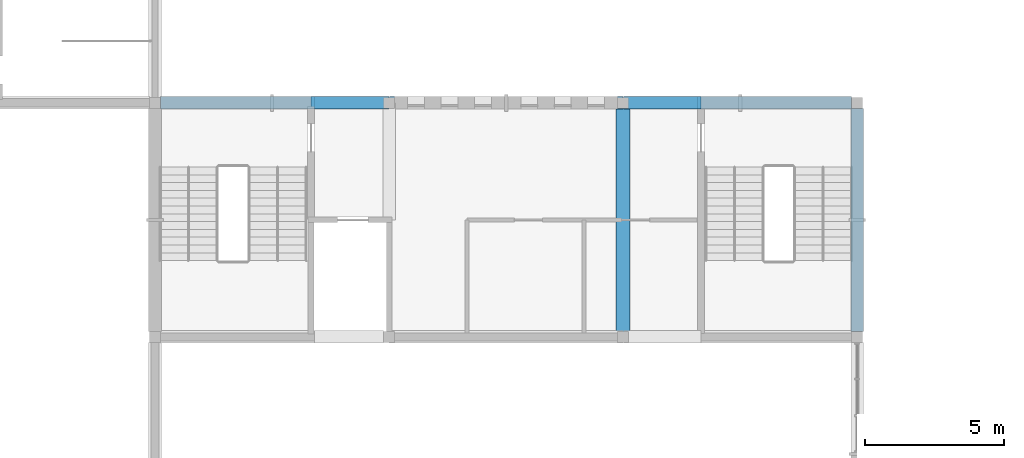
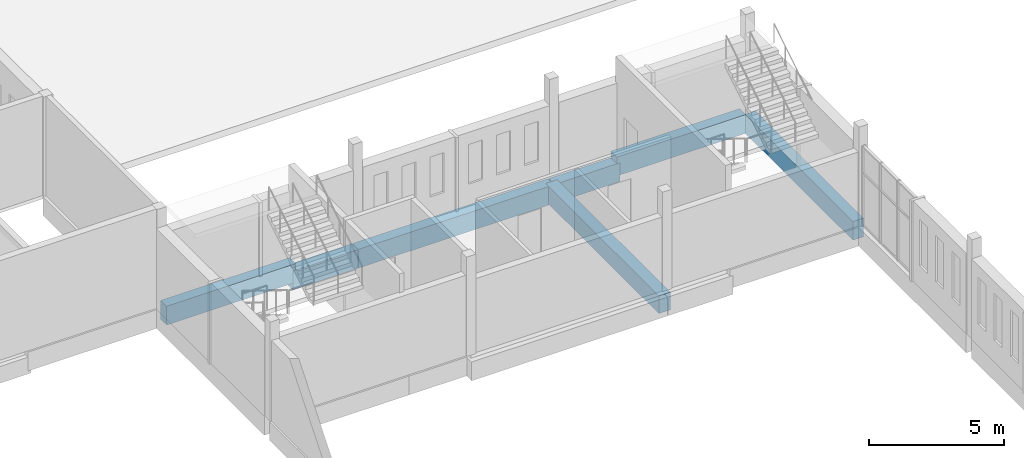
# One storey, part 50 of 101: 7 beams.
"""IFC4 building model written with IfcOpenShell, lengths in metres."""

from ifc_helpers import new_model, si_unit, direction, frame, origin, origin_2d, place, context, subcontext, project, spatial, rectangle, extrude, material, material_profile, profile_set, type_object, element, save


model = new_model("IFC4")

# Units and contexts
model_context = context("Model", 3, precision=1e-05, world=origin(), true_north=direction((0.0, 1.0)))
body_context = subcontext(model_context, "Body", "Model", "MODEL_VIEW")
ifc_project = project(units=[si_unit("LENGTHUNIT", "METRE"), si_unit("AREAUNIT", "SQUARE_METRE"), si_unit("VOLUMEUNIT", "CUBIC_METRE"), si_unit("PLANEANGLEUNIT", "RADIAN"), si_unit("MASSUNIT", "GRAM", prefix="KILO")], contexts=[model_context])

# Site, building, storey
site_placement = place(None, origin())
site = spatial("IfcSite", under=ifc_project, at=site_placement, CompositionType="ELEMENT")
building_placement = place(site_placement, origin())
building = spatial("IfcBuilding", under=site, at=building_placement, Name="Fescue Hill Polytechnic", CompositionType="ELEMENT")
storey_placement = place(building_placement, frame((0.0, 0.0, 9.0)))
storey = spatial("IfcBuildingStorey", under=building, at=storey_placement, Name="L02", CompositionType="ELEMENT", Elevation=9.0)

# Beams
ifc_material = material(Name="Concrete 35 MPa", Category="concrete")
ifc_material_profile_1 = material_profile(ifc_material, rectangle(XDim=0.449951171875, YDim=0.85009765625, at=origin_2d()), Name="RC 450x850")
ifc_profile_set_1 = profile_set([ifc_material_profile_1], Name="Concrete 35 MPa")
beam_type_1 = type_object("IfcBeamType", Name="Beam RC 450x850", PredefinedType="BEAM", material=ifc_profile_set_1)
beam_1_placement = place(storey_placement, frame((123.199951171875, 100.800048828125, -0.72509765625), z_axis=(1.0, 0.0, 0.0), x_axis=(0.0, 1.0, 0.0)))
element("IfcBeam", 1, at=beam_1_placement, inside=storey, type_object=beam_type_1, Name="BM-L02-0109", PredefinedType="BEAM", context=body_context, shape_type="SweptSolid", body=[
    extrude(rectangle(XDim=0.449951171875, YDim=0.85009765625, at=origin_2d()), origin(), (0.0, 0.0, 1.0), 2.7900390625),
])
beam_2_placement = place(storey_placement, frame((126.010009765625, 100.800048828125, -0.72509765625), z_axis=(1.0, 0.0, 0.0), x_axis=(0.0, 1.0, 0.0)))
element("IfcBeam", 2, at=beam_2_placement, inside=storey, type_object=beam_type_1, Name="BM-L02-0112", PredefinedType="BEAM", context=body_context, shape_type="SweptSolid", body=[
    extrude(rectangle(XDim=0.449951171875, YDim=0.85009765625, at=origin_2d()), origin(), (0.0, 0.0, 1.0), 8.3798828125),
])
beam_3_placement = place(storey_placement, frame((134.409912109375, 100.800048828125, -0.72509765625), z_axis=(1.0, 0.0, 0.0), x_axis=(0.0, 1.0, 0.0)))
element("IfcBeam", 3, at=beam_3_placement, inside=storey, type_object=beam_type_1, Name="BM-L02-0115", PredefinedType="BEAM", context=body_context, shape_type="SweptSolid", body=[
    extrude(rectangle(XDim=0.449951171875, YDim=0.85009765625, at=origin_2d()), origin(), (0.0, 0.0, 1.0), 2.7900390625),
])
beam_4_placement = place(storey_placement, frame((117.800048828125, 100.800048828125, -0.425048828125), z_axis=(1.0, 0.0, 0.0), x_axis=(0.0, 1.0, 0.0)))
element("IfcBeam", 4, at=beam_4_placement, inside=storey, type_object=beam_type_1, Name="BM-L02-0186", PredefinedType="BEAM", context=body_context, shape_type="SweptSolid", body=[
    extrude(rectangle(XDim=0.449951171875, YDim=0.85009765625, at=origin_2d()), origin(), (0.0, 0.0, 1.0), 5.52490234375),
])
beam_5_placement = place(storey_placement, frame((137.074951171875, 100.800048828125, -0.425048828125), z_axis=(1.0, 0.0, 0.0), x_axis=(0.0, 1.0, 0.0)))
element("IfcBeam", 5, at=beam_5_placement, inside=storey, type_object=beam_type_1, Name="BM-L02-0200", PredefinedType="BEAM", context=body_context, shape_type="SweptSolid", body=[
    extrude(rectangle(XDim=0.449951171875, YDim=0.85009765625, at=origin_2d()), origin(), (0.0, 0.0, 1.0), 5.525146484375),
])
beam_6_placement = place(storey_placement, frame((142.800048828125, 92.60009765625, -0.425048828125), z_axis=(0.0, 1.0, 0.0), x_axis=(-1.0, 0.0, 0.0)))
element("IfcBeam", 6, at=beam_6_placement, inside=storey, type_object=beam_type_1, Name="BM-L02-0206", PredefinedType="BEAM", context=body_context, shape_type="SweptSolid", body=[
    extrude(rectangle(XDim=0.449951171875, YDim=0.85009765625, at=origin_2d()), origin(), (0.0, 0.0, 1.0), 8.0),
])
ifc_material_profile_2 = material_profile(ifc_material, rectangle(XDim=0.5, YDim=0.800048828125, at=origin_2d()), Name="RC 500x800")
ifc_profile_set_2 = profile_set([ifc_material_profile_2], Name="Concrete 35 MPa")
beam_type_2 = type_object("IfcBeamType", Name="Beam RC 500x800", PredefinedType="BEAM", material=ifc_profile_set_2)
beam_7_placement = place(storey_placement, frame((134.39990234375, 92.39990234375, -0.699951171875), z_axis=(0.0, 1.0, 0.0), x_axis=(-1.0, 0.0, 0.0)))
element("IfcBeam", 7, at=beam_7_placement, inside=storey, type_object=beam_type_2, Name="BM-L02-0113", PredefinedType="BEAM", context=body_context, shape_type="SweptSolid", body=[
    extrude(rectangle(XDim=0.5, YDim=0.800048828125, at=origin_2d()), origin(), (0.0, 0.0, 1.0), 8.400146484375),
])

save(model, "model.ifc")
